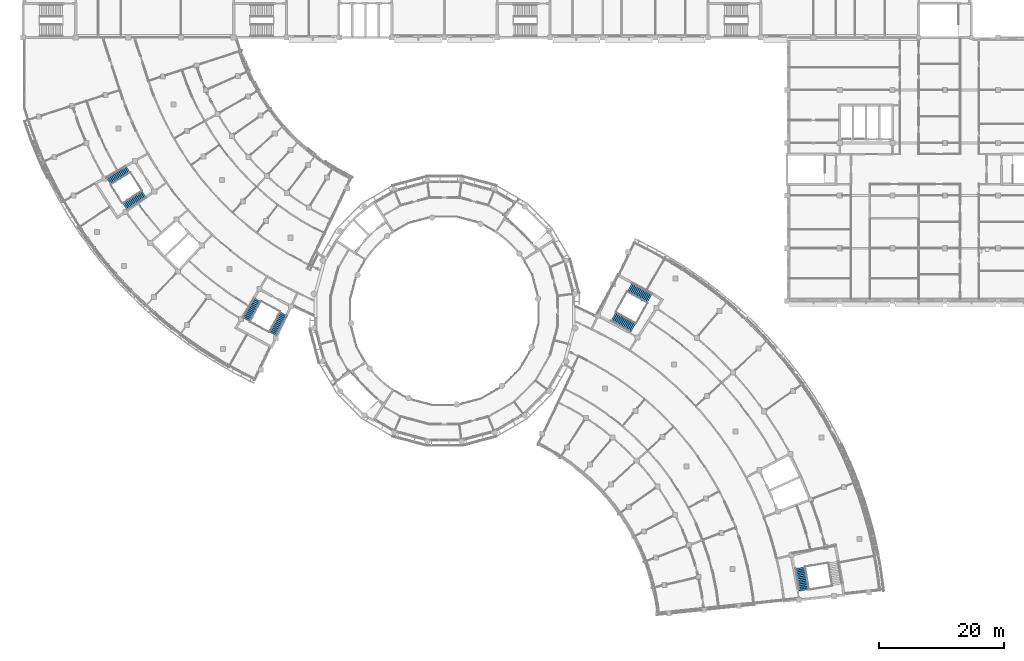
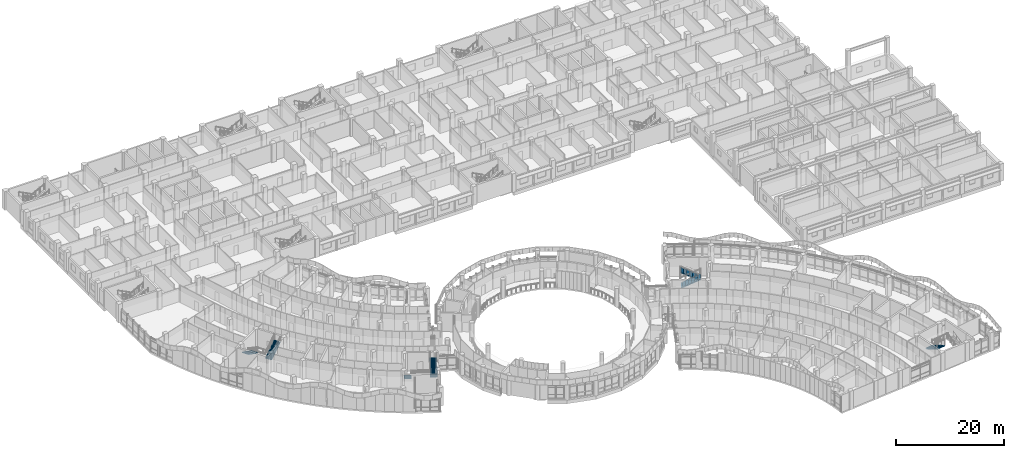
# One storey, part 76 of 109: 7 stair flights, 4 elements without a shape of their own.
"""IFC4 building model written with IfcOpenShell, lengths in metres."""

from ifc_helpers import new_model, si_unit, direction, frame, origin, place, context, subcontext, project, spatial, polyline, outline, extrude, material, type_object, element, aggregate, save


model = new_model("IFC4")

# Units and contexts
model_context = context("Model", 3, precision=1e-05, world=origin(), true_north=direction((0.0, 1.0)))
body_context = subcontext(model_context, "Body", "Model", "MODEL_VIEW")
ifc_project = project(units=[si_unit("LENGTHUNIT", "METRE"), si_unit("AREAUNIT", "SQUARE_METRE"), si_unit("VOLUMEUNIT", "CUBIC_METRE"), si_unit("PLANEANGLEUNIT", "RADIAN"), si_unit("MASSUNIT", "GRAM", prefix="KILO")], contexts=[model_context])

# Site, building, storey
site_placement = place(None, origin())
site = spatial("IfcSite", under=ifc_project, at=site_placement, CompositionType="ELEMENT")
building_placement = place(site_placement, origin())
building = spatial("IfcBuilding", under=site, at=building_placement, Name="Bougainvillea Quay General Hospital", CompositionType="ELEMENT")
storey_placement = place(building_placement, frame((0.0, 0.0, 12.60009765625)))
storey = spatial("IfcBuildingStorey", under=building, at=storey_placement, Name="L02", CompositionType="ELEMENT", Elevation=12.60009765625)

# Stair, stair flights
ifc_material = material(Name="Concrete C35", Category="concrete")
stair_type_1 = type_object("IfcStairType", Name="Stair half-turn 1350 wide", PredefinedType="HALF_TURN_STAIR", material=ifc_material)
stair_1_placement = place(storey_placement, origin())
stair_1 = element("IfcStair", 1, at=stair_1_placement, inside=storey, type_object=stair_type_1, Name="L02 stair ST-W1", PredefinedType="HALF_TURN_STAIR")
stair_flight_type_1 = type_object("IfcStairFlightType", Name="Stair flight 1350", PredefinedType="STRAIGHT", material=ifc_material)
stair_flight_1_placement = place(storey_placement, frame((79.350830078125, 75.82470703125, 0.0), z_axis=(0.0, 0.0, 1.0), x_axis=(-0.475725718378, -0.879593679419, 0.0)))
stair_flight_1 = element("IfcStairFlight", 2, at=stair_flight_1_placement, type_object=stair_flight_type_1, Name="ST-W1 flight 1", NumberOfRisers=14, NumberOfTreads=13, PredefinedType="STRAIGHT", RiserHeight=0.15, TreadLength=0.28, context=body_context, shape_type="SweptSolid", body=[
    extrude(outline(polyline([(-0.0029296875, 0.0), (-0.0029296875, 0.003662109375), (-0.0029296875, 0.00732421875), (-0.0029296875, 0.010986328125), (-0.0029296875, 0.0146484375), (-0.0029296875, 0.018310546875), (-0.0029296875, 0.02197265625), (-0.0029296875, 0.025634765625), (-0.0029296875, 0.029296875), (-0.0029296875, 0.032958984375), (-0.0029296875, 0.03662109375), (-0.0029296875, 0.040283203125), (-0.0029296875, 0.0439453125), (-0.0029296875, 0.047607421875), (-0.0029296875, 0.05126953125), (-0.0029296875, 0.054931640625), (-0.0029296875, 0.05859375), (-0.0029296875, 0.062255859375), (-0.0029296875, 0.06591796875), (-0.0029296875, 0.069580078125), (-0.0029296875, 0.0732421875), (-0.0029296875, 0.076904296875), (-0.0029296875, 0.08056640625), (-0.0029296875, 0.084228515625), (-0.0029296875, 0.087890625), (-0.0029296875, 0.091552734375), (-0.0029296875, 0.09521484375), (-0.0029296875, 0.098876953125), (-0.0029296875, 0.1025390625), (-0.0029296875, 0.106201171875), (-0.0029296875, 0.10986328125), (-0.0029296875, 0.113525390625), (-0.0029296875, 0.1171875), (-0.0029296875, 0.120849609375), (-0.0029296875, 0.12451171875), (-0.0029296875, 0.1279296875), (-0.0029296875, 0.131591796875), (-0.0029296875, 0.13525390625), (-0.0029296875, 0.138916015625), (-0.0029296875, 0.142578125), (-0.0029296875, 0.146240234375), (-0.0029296875, 0.14990234375), (0.280029296875, 0.14990234375), (0.280029296875, 0.300048828125), (0.56005859375, 0.300048828125), (0.56005859375, 0.449951171875), (0.840087890625, 0.449951171875), (0.840087890625, 0.60009765625), (1.1201171875, 0.60009765625), (1.1201171875, 0.75), (1.39990234375, 0.75), (1.39990234375, 0.89990234375), (1.679931640625, 0.89990234375), (1.679931640625, 1.050048828125), (1.9599609375, 1.050048828125), (1.9599609375, 1.199951171875), (2.239990234375, 1.199951171875), (2.239990234375, 1.35009765625), (2.52001953125, 1.35009765625), (2.52001953125, 1.5), (2.800048828125, 1.5), (2.800048828125, 1.64990234375), (3.080078125, 1.64990234375), (3.080078125, 1.800048828125), (3.360107421875, 1.800048828125), (3.360107421875, 1.949951171875), (3.64306640625, 1.949951171875), (3.64306640625, 1.94580078125), (3.64306640625, 1.941650390625), (3.64306640625, 1.9375), (3.64306640625, 1.933349609375), (3.64306640625, 1.92919921875), (3.64306640625, 1.925048828125), (3.64306640625, 1.9208984375), (3.64306640625, 1.916748046875), (3.64306640625, 1.91259765625), (3.64306640625, 1.908447265625), (3.64306640625, 1.904296875), (3.64306640625, 1.900146484375), (3.64306640625, 1.89599609375), (3.64306640625, 1.891845703125), (3.64306640625, 1.8876953125), (3.64306640625, 1.883544921875), (3.64306640625, 1.87939453125), (3.64306640625, 1.875244140625), (3.64306640625, 1.87109375), (3.64306640625, 1.866943359375), (3.64306640625, 1.86279296875), (3.64306640625, 1.858642578125), (3.64306640625, 1.8544921875), (3.64306640625, 1.850341796875), (3.64306640625, 1.84619140625), (3.64306640625, 1.842041015625), (3.64306640625, 1.837890625), (3.64306640625, 1.833984375), (3.64306640625, 1.829833984375), (3.64306640625, 1.82568359375), (3.64306640625, 1.821533203125), (3.64306640625, 1.8173828125), (3.64306640625, 1.813232421875), (3.64306640625, 1.80908203125), (3.64306640625, 1.804931640625), (3.64306640625, 1.80078125), (3.64306640625, 1.796630859375), (3.64306640625, 1.79248046875), (3.64306640625, 1.788330078125), (3.64306640625, 1.7841796875), (3.64306640625, 1.780029296875), (0.3173828125, 0.0), (-0.0029296875, 0.0)])), frame((0.0, 0.675048828125, 0.0), z_axis=(0.0, -1.0, 0.0), x_axis=(1.0, 0.0, 0.0)), (0.0, 0.0, 1.0), 1.35009765625),
])
stair_flight_2_placement = place(storey_placement, frame((81.81640625, 70.352783203125, 2.099853515625), z_axis=(0.0, 0.0, 1.0), x_axis=(0.475725718378, 0.879593679419, 0.0)))
stair_flight_2 = element("IfcStairFlight", 3, at=stair_flight_2_placement, type_object=stair_flight_type_1, Name="ST-W1 flight 2", NumberOfRisers=14, NumberOfTreads=13, PredefinedType="STRAIGHT", RiserHeight=0.15, TreadLength=0.28, context=body_context, shape_type="SweptSolid", body=[
    extrude(outline(polyline([(-0.0029296875, 0.0), (-0.0029296875, 0.003662109375), (-0.0029296875, 0.00732421875), (-0.0029296875, 0.010986328125), (-0.0029296875, 0.0146484375), (-0.0029296875, 0.018310546875), (-0.0029296875, 0.02197265625), (-0.0029296875, 0.025634765625), (-0.0029296875, 0.029296875), (-0.0029296875, 0.032958984375), (-0.0029296875, 0.03662109375), (-0.0029296875, 0.040283203125), (-0.0029296875, 0.0439453125), (-0.0029296875, 0.047607421875), (-0.0029296875, 0.05126953125), (-0.0029296875, 0.054931640625), (-0.0029296875, 0.05859375), (-0.0029296875, 0.062255859375), (-0.0029296875, 0.06591796875), (-0.0029296875, 0.069580078125), (-0.0029296875, 0.0732421875), (-0.0029296875, 0.076904296875), (-0.0029296875, 0.08056640625), (-0.0029296875, 0.084228515625), (-0.0029296875, 0.087890625), (-0.0029296875, 0.091552734375), (-0.0029296875, 0.09521484375), (-0.0029296875, 0.098876953125), (-0.0029296875, 0.1025390625), (-0.0029296875, 0.106201171875), (-0.0029296875, 0.10986328125), (-0.0029296875, 0.113525390625), (-0.0029296875, 0.1171875), (-0.0029296875, 0.120849609375), (-0.0029296875, 0.12451171875), (-0.0029296875, 0.1279296875), (-0.0029296875, 0.131591796875), (-0.0029296875, 0.13525390625), (-0.0029296875, 0.138916015625), (-0.0029296875, 0.142578125), (-0.0029296875, 0.146240234375), (-0.0029296875, 0.14990234375), (0.280029296875, 0.14990234375), (0.280029296875, 0.300048828125), (0.56005859375, 0.300048828125), (0.56005859375, 0.449951171875), (0.840087890625, 0.449951171875), (0.840087890625, 0.60009765625), (1.1201171875, 0.60009765625), (1.1201171875, 0.75), (1.39990234375, 0.75), (1.39990234375, 0.89990234375), (1.679931640625, 0.89990234375), (1.679931640625, 1.050048828125), (1.9599609375, 1.050048828125), (1.9599609375, 1.199951171875), (2.239990234375, 1.199951171875), (2.239990234375, 1.35009765625), (2.52001953125, 1.35009765625), (2.52001953125, 1.5), (2.800048828125, 1.5), (2.800048828125, 1.64990234375), (3.080078125, 1.64990234375), (3.080078125, 1.800048828125), (3.360107421875, 1.800048828125), (3.360107421875, 1.949951171875), (3.64306640625, 1.949951171875), (3.64306640625, 1.94580078125), (3.64306640625, 1.941650390625), (3.64306640625, 1.9375), (3.64306640625, 1.933349609375), (3.64306640625, 1.92919921875), (3.64306640625, 1.925048828125), (3.64306640625, 1.9208984375), (3.64306640625, 1.916748046875), (3.64306640625, 1.91259765625), (3.64306640625, 1.908447265625), (3.64306640625, 1.904296875), (3.64306640625, 1.900146484375), (3.64306640625, 1.89599609375), (3.64306640625, 1.891845703125), (3.64306640625, 1.8876953125), (3.64306640625, 1.883544921875), (3.64306640625, 1.87939453125), (3.64306640625, 1.875244140625), (3.64306640625, 1.87109375), (3.64306640625, 1.866943359375), (3.64306640625, 1.86279296875), (3.64306640625, 1.858642578125), (3.64306640625, 1.8544921875), (3.64306640625, 1.850341796875), (3.64306640625, 1.84619140625), (3.64306640625, 1.842041015625), (3.64306640625, 1.837890625), (3.64306640625, 1.833984375), (3.64306640625, 1.829833984375), (3.64306640625, 1.82568359375), (3.64306640625, 1.821533203125), (3.64306640625, 1.8173828125), (3.64306640625, 1.813232421875), (3.64306640625, 1.80908203125), (3.64306640625, 1.804931640625), (3.64306640625, 1.80078125), (3.64306640625, 1.796630859375), (3.64306640625, 1.79248046875), (3.64306640625, 1.788330078125), (3.64306640625, 1.7841796875), (3.64306640625, 1.780029296875), (0.3173828125, 0.0), (-0.0029296875, 0.0)])), frame((0.0, 0.675048828125, 0.0), z_axis=(0.0, -1.0, 0.0), x_axis=(1.0, 0.0, 0.0)), (0.0, 0.0, 1.0), 1.35009765625),
])
aggregate(stair_1, [stair_flight_1, stair_flight_2])

stair_2_placement = place(storey_placement, origin())
stair_2 = element("IfcStair", 4, at=stair_2_placement, inside=storey, type_object=stair_type_1, Name="L02 stair ST-W2", PredefinedType="HALF_TURN_STAIR")
stair_flight_3_placement = place(storey_placement, frame((58.736572265625, 96.6396484375, 0.0), z_axis=(0.0, 0.0, 1.0), x_axis=(-0.842999170031, -0.537914862526, 0.0)))
stair_flight_3 = element("IfcStairFlight", 5, at=stair_flight_3_placement, type_object=stair_flight_type_1, Name="ST-W2 flight 1", NumberOfRisers=14, NumberOfTreads=13, PredefinedType="STRAIGHT", RiserHeight=0.15, TreadLength=0.28, context=body_context, shape_type="SweptSolid", body=[
    extrude(outline(polyline([(-0.0029296875, 0.0), (-0.0029296875, 0.003662109375), (-0.0029296875, 0.00732421875), (-0.0029296875, 0.010986328125), (-0.0029296875, 0.0146484375), (-0.0029296875, 0.018310546875), (-0.0029296875, 0.02197265625), (-0.0029296875, 0.025634765625), (-0.0029296875, 0.029296875), (-0.0029296875, 0.032958984375), (-0.0029296875, 0.03662109375), (-0.0029296875, 0.040283203125), (-0.0029296875, 0.0439453125), (-0.0029296875, 0.047607421875), (-0.0029296875, 0.05126953125), (-0.0029296875, 0.054931640625), (-0.0029296875, 0.05859375), (-0.0029296875, 0.062255859375), (-0.0029296875, 0.06591796875), (-0.0029296875, 0.069580078125), (-0.0029296875, 0.0732421875), (-0.0029296875, 0.076904296875), (-0.0029296875, 0.08056640625), (-0.0029296875, 0.084228515625), (-0.0029296875, 0.087890625), (-0.0029296875, 0.091552734375), (-0.0029296875, 0.09521484375), (-0.0029296875, 0.098876953125), (-0.0029296875, 0.1025390625), (-0.0029296875, 0.106201171875), (-0.0029296875, 0.10986328125), (-0.0029296875, 0.113525390625), (-0.0029296875, 0.1171875), (-0.0029296875, 0.120849609375), (-0.0029296875, 0.12451171875), (-0.0029296875, 0.1279296875), (-0.0029296875, 0.131591796875), (-0.0029296875, 0.13525390625), (-0.0029296875, 0.138916015625), (-0.0029296875, 0.142578125), (-0.0029296875, 0.146240234375), (-0.0029296875, 0.14990234375), (0.280029296875, 0.14990234375), (0.280029296875, 0.300048828125), (0.56005859375, 0.300048828125), (0.56005859375, 0.449951171875), (0.840087890625, 0.449951171875), (0.840087890625, 0.60009765625), (1.1201171875, 0.60009765625), (1.1201171875, 0.75), (1.39990234375, 0.75), (1.39990234375, 0.89990234375), (1.679931640625, 0.89990234375), (1.679931640625, 1.050048828125), (1.9599609375, 1.050048828125), (1.9599609375, 1.199951171875), (2.239990234375, 1.199951171875), (2.239990234375, 1.35009765625), (2.52001953125, 1.35009765625), (2.52001953125, 1.5), (2.800048828125, 1.5), (2.800048828125, 1.64990234375), (3.080078125, 1.64990234375), (3.080078125, 1.800048828125), (3.360107421875, 1.800048828125), (3.360107421875, 1.949951171875), (3.64306640625, 1.949951171875), (3.64306640625, 1.94580078125), (3.64306640625, 1.941650390625), (3.64306640625, 1.9375), (3.64306640625, 1.933349609375), (3.64306640625, 1.92919921875), (3.64306640625, 1.925048828125), (3.64306640625, 1.9208984375), (3.64306640625, 1.916748046875), (3.64306640625, 1.91259765625), (3.64306640625, 1.908447265625), (3.64306640625, 1.904296875), (3.64306640625, 1.900146484375), (3.64306640625, 1.89599609375), (3.64306640625, 1.891845703125), (3.64306640625, 1.8876953125), (3.64306640625, 1.883544921875), (3.64306640625, 1.87939453125), (3.64306640625, 1.875244140625), (3.64306640625, 1.87109375), (3.64306640625, 1.866943359375), (3.64306640625, 1.86279296875), (3.64306640625, 1.858642578125), (3.64306640625, 1.8544921875), (3.64306640625, 1.850341796875), (3.64306640625, 1.84619140625), (3.64306640625, 1.842041015625), (3.64306640625, 1.837890625), (3.64306640625, 1.833984375), (3.64306640625, 1.829833984375), (3.64306640625, 1.82568359375), (3.64306640625, 1.821533203125), (3.64306640625, 1.8173828125), (3.64306640625, 1.813232421875), (3.64306640625, 1.80908203125), (3.64306640625, 1.804931640625), (3.64306640625, 1.80078125), (3.64306640625, 1.796630859375), (3.64306640625, 1.79248046875), (3.64306640625, 1.788330078125), (3.64306640625, 1.7841796875), (3.64306640625, 1.780029296875), (0.3173828125, 0.0), (-0.0029296875, 0.0)])), frame((0.0, 0.675048828125, 0.0), z_axis=(0.0, -1.0, 0.0), x_axis=(1.0, 0.0, 0.0)), (0.0, 0.0, 1.0), 1.35009765625),
])
stair_flight_4_placement = place(storey_placement, frame((58.23486328125, 90.658935546875, 2.099853515625), z_axis=(0.0, 0.0, 1.0), x_axis=(0.842999170031, 0.537914862526, 0.0)))
stair_flight_4 = element("IfcStairFlight", 6, at=stair_flight_4_placement, type_object=stair_flight_type_1, Name="ST-W2 flight 2", NumberOfRisers=14, NumberOfTreads=13, PredefinedType="STRAIGHT", RiserHeight=0.15, TreadLength=0.28, context=body_context, shape_type="SweptSolid", body=[
    extrude(outline(polyline([(-0.0029296875, 0.0), (-0.0029296875, 0.003662109375), (-0.0029296875, 0.00732421875), (-0.0029296875, 0.010986328125), (-0.0029296875, 0.0146484375), (-0.0029296875, 0.018310546875), (-0.0029296875, 0.02197265625), (-0.0029296875, 0.025634765625), (-0.0029296875, 0.029296875), (-0.0029296875, 0.032958984375), (-0.0029296875, 0.03662109375), (-0.0029296875, 0.040283203125), (-0.0029296875, 0.0439453125), (-0.0029296875, 0.047607421875), (-0.0029296875, 0.05126953125), (-0.0029296875, 0.054931640625), (-0.0029296875, 0.05859375), (-0.0029296875, 0.062255859375), (-0.0029296875, 0.06591796875), (-0.0029296875, 0.069580078125), (-0.0029296875, 0.0732421875), (-0.0029296875, 0.076904296875), (-0.0029296875, 0.08056640625), (-0.0029296875, 0.084228515625), (-0.0029296875, 0.087890625), (-0.0029296875, 0.091552734375), (-0.0029296875, 0.09521484375), (-0.0029296875, 0.098876953125), (-0.0029296875, 0.1025390625), (-0.0029296875, 0.106201171875), (-0.0029296875, 0.10986328125), (-0.0029296875, 0.113525390625), (-0.0029296875, 0.1171875), (-0.0029296875, 0.120849609375), (-0.0029296875, 0.12451171875), (-0.0029296875, 0.1279296875), (-0.0029296875, 0.131591796875), (-0.0029296875, 0.13525390625), (-0.0029296875, 0.138916015625), (-0.0029296875, 0.142578125), (-0.0029296875, 0.146240234375), (-0.0029296875, 0.14990234375), (0.280029296875, 0.14990234375), (0.280029296875, 0.300048828125), (0.56005859375, 0.300048828125), (0.56005859375, 0.449951171875), (0.840087890625, 0.449951171875), (0.840087890625, 0.60009765625), (1.1201171875, 0.60009765625), (1.1201171875, 0.75), (1.39990234375, 0.75), (1.39990234375, 0.89990234375), (1.679931640625, 0.89990234375), (1.679931640625, 1.050048828125), (1.9599609375, 1.050048828125), (1.9599609375, 1.199951171875), (2.239990234375, 1.199951171875), (2.239990234375, 1.35009765625), (2.52001953125, 1.35009765625), (2.52001953125, 1.5), (2.800048828125, 1.5), (2.800048828125, 1.64990234375), (3.080078125, 1.64990234375), (3.080078125, 1.800048828125), (3.360107421875, 1.800048828125), (3.360107421875, 1.949951171875), (3.64306640625, 1.949951171875), (3.64306640625, 1.94580078125), (3.64306640625, 1.941650390625), (3.64306640625, 1.9375), (3.64306640625, 1.933349609375), (3.64306640625, 1.92919921875), (3.64306640625, 1.925048828125), (3.64306640625, 1.9208984375), (3.64306640625, 1.916748046875), (3.64306640625, 1.91259765625), (3.64306640625, 1.908447265625), (3.64306640625, 1.904296875), (3.64306640625, 1.900146484375), (3.64306640625, 1.89599609375), (3.64306640625, 1.891845703125), (3.64306640625, 1.8876953125), (3.64306640625, 1.883544921875), (3.64306640625, 1.87939453125), (3.64306640625, 1.875244140625), (3.64306640625, 1.87109375), (3.64306640625, 1.866943359375), (3.64306640625, 1.86279296875), (3.64306640625, 1.858642578125), (3.64306640625, 1.8544921875), (3.64306640625, 1.850341796875), (3.64306640625, 1.84619140625), (3.64306640625, 1.842041015625), (3.64306640625, 1.837890625), (3.64306640625, 1.833984375), (3.64306640625, 1.829833984375), (3.64306640625, 1.82568359375), (3.64306640625, 1.821533203125), (3.64306640625, 1.8173828125), (3.64306640625, 1.813232421875), (3.64306640625, 1.80908203125), (3.64306640625, 1.804931640625), (3.64306640625, 1.80078125), (3.64306640625, 1.796630859375), (3.64306640625, 1.79248046875), (3.64306640625, 1.788330078125), (3.64306640625, 1.7841796875), (3.64306640625, 1.780029296875), (0.3173828125, 0.0), (-0.0029296875, 0.0)])), frame((0.0, 0.675048828125, 0.0), z_axis=(0.0, -1.0, 0.0), x_axis=(1.0, 0.0, 0.0)), (0.0, 0.0, 1.0), 1.35009765625),
])
aggregate(stair_2, [stair_flight_3, stair_flight_4])

stair_type_2 = type_object("IfcStairType", Name="Stair half-turn 1650 wide", PredefinedType="HALF_TURN_STAIR", material=ifc_material)
stair_3_placement = place(storey_placement, origin())
stair_3 = element("IfcStair", 7, at=stair_3_placement, inside=storey, type_object=stair_type_2, Name="L02 stair ST-E1", PredefinedType="HALF_TURN_STAIR")
stair_flight_type_2 = type_object("IfcStairFlightType", Name="Stair flight 1650", PredefinedType="STRAIGHT", material=ifc_material)
stair_flight_5_placement = place(storey_placement, frame((141.89208984375, 75.99267578125, 0.0), z_axis=(0.0, 0.0, 1.0), x_axis=(-0.873300754664, 0.487181477382, 0.0)))
stair_flight_5 = element("IfcStairFlight", 8, at=stair_flight_5_placement, type_object=stair_flight_type_2, Name="ST-E1 flight 1", NumberOfRisers=14, NumberOfTreads=13, PredefinedType="STRAIGHT", RiserHeight=0.15, TreadLength=0.28, context=body_context, shape_type="SweptSolid", body=[
    extrude(outline(polyline([(-0.0029296875, 0.0), (-0.0029296875, 0.003662109375), (-0.0029296875, 0.00732421875), (-0.0029296875, 0.010986328125), (-0.0029296875, 0.0146484375), (-0.0029296875, 0.018310546875), (-0.0029296875, 0.02197265625), (-0.0029296875, 0.025634765625), (-0.0029296875, 0.029296875), (-0.0029296875, 0.032958984375), (-0.0029296875, 0.03662109375), (-0.0029296875, 0.040283203125), (-0.0029296875, 0.0439453125), (-0.0029296875, 0.047607421875), (-0.0029296875, 0.05126953125), (-0.0029296875, 0.054931640625), (-0.0029296875, 0.05859375), (-0.0029296875, 0.062255859375), (-0.0029296875, 0.06591796875), (-0.0029296875, 0.069580078125), (-0.0029296875, 0.0732421875), (-0.0029296875, 0.076904296875), (-0.0029296875, 0.08056640625), (-0.0029296875, 0.084228515625), (-0.0029296875, 0.087890625), (-0.0029296875, 0.091552734375), (-0.0029296875, 0.09521484375), (-0.0029296875, 0.098876953125), (-0.0029296875, 0.1025390625), (-0.0029296875, 0.106201171875), (-0.0029296875, 0.10986328125), (-0.0029296875, 0.113525390625), (-0.0029296875, 0.1171875), (-0.0029296875, 0.120849609375), (-0.0029296875, 0.12451171875), (-0.0029296875, 0.1279296875), (-0.0029296875, 0.131591796875), (-0.0029296875, 0.13525390625), (-0.0029296875, 0.138916015625), (-0.0029296875, 0.142578125), (-0.0029296875, 0.146240234375), (-0.0029296875, 0.14990234375), (0.280029296875, 0.14990234375), (0.280029296875, 0.300048828125), (0.56005859375, 0.300048828125), (0.56005859375, 0.449951171875), (0.840087890625, 0.449951171875), (0.840087890625, 0.60009765625), (1.1201171875, 0.60009765625), (1.1201171875, 0.75), (1.39990234375, 0.75), (1.39990234375, 0.89990234375), (1.679931640625, 0.89990234375), (1.679931640625, 1.050048828125), (1.9599609375, 1.050048828125), (1.9599609375, 1.199951171875), (2.239990234375, 1.199951171875), (2.239990234375, 1.35009765625), (2.52001953125, 1.35009765625), (2.52001953125, 1.5), (2.800048828125, 1.5), (2.800048828125, 1.64990234375), (3.080078125, 1.64990234375), (3.080078125, 1.800048828125), (3.360107421875, 1.800048828125), (3.360107421875, 1.949951171875), (3.64306640625, 1.949951171875), (3.64306640625, 1.94580078125), (3.64306640625, 1.941650390625), (3.64306640625, 1.9375), (3.64306640625, 1.933349609375), (3.64306640625, 1.92919921875), (3.64306640625, 1.925048828125), (3.64306640625, 1.9208984375), (3.64306640625, 1.916748046875), (3.64306640625, 1.91259765625), (3.64306640625, 1.908447265625), (3.64306640625, 1.904296875), (3.64306640625, 1.900146484375), (3.64306640625, 1.89599609375), (3.64306640625, 1.891845703125), (3.64306640625, 1.8876953125), (3.64306640625, 1.883544921875), (3.64306640625, 1.87939453125), (3.64306640625, 1.875244140625), (3.64306640625, 1.87109375), (3.64306640625, 1.866943359375), (3.64306640625, 1.86279296875), (3.64306640625, 1.858642578125), (3.64306640625, 1.8544921875), (3.64306640625, 1.850341796875), (3.64306640625, 1.84619140625), (3.64306640625, 1.842041015625), (3.64306640625, 1.837890625), (3.64306640625, 1.833984375), (3.64306640625, 1.829833984375), (3.64306640625, 1.82568359375), (3.64306640625, 1.821533203125), (3.64306640625, 1.8173828125), (3.64306640625, 1.813232421875), (3.64306640625, 1.80908203125), (3.64306640625, 1.804931640625), (3.64306640625, 1.80078125), (3.64306640625, 1.796630859375), (3.64306640625, 1.79248046875), (3.64306640625, 1.788330078125), (3.64306640625, 1.7841796875), (3.64306640625, 1.780029296875), (0.3173828125, 0.0), (-0.0029296875, 0.0)])), frame((0.0, 0.824951171875, 0.0), z_axis=(0.0, -1.0, 0.0), x_axis=(1.0, 0.0, 0.0)), (0.0, 0.0, 1.0), 1.64990234375),
])
stair_flight_6_placement = place(storey_placement, frame((136.12744140625, 73.131103515625, 2.099853515625), z_axis=(0.0, 0.0, 1.0), x_axis=(0.873300754664, -0.487181477382, 0.0)))
stair_flight_6 = element("IfcStairFlight", 9, at=stair_flight_6_placement, type_object=stair_flight_type_2, Name="ST-E1 flight 2", NumberOfRisers=14, NumberOfTreads=13, PredefinedType="STRAIGHT", RiserHeight=0.15, TreadLength=0.28, context=body_context, shape_type="SweptSolid", body=[
    extrude(outline(polyline([(-0.0029296875, 0.0), (-0.0029296875, 0.003662109375), (-0.0029296875, 0.00732421875), (-0.0029296875, 0.010986328125), (-0.0029296875, 0.0146484375), (-0.0029296875, 0.018310546875), (-0.0029296875, 0.02197265625), (-0.0029296875, 0.025634765625), (-0.0029296875, 0.029296875), (-0.0029296875, 0.032958984375), (-0.0029296875, 0.03662109375), (-0.0029296875, 0.040283203125), (-0.0029296875, 0.0439453125), (-0.0029296875, 0.047607421875), (-0.0029296875, 0.05126953125), (-0.0029296875, 0.054931640625), (-0.0029296875, 0.05859375), (-0.0029296875, 0.062255859375), (-0.0029296875, 0.06591796875), (-0.0029296875, 0.069580078125), (-0.0029296875, 0.0732421875), (-0.0029296875, 0.076904296875), (-0.0029296875, 0.08056640625), (-0.0029296875, 0.084228515625), (-0.0029296875, 0.087890625), (-0.0029296875, 0.091552734375), (-0.0029296875, 0.09521484375), (-0.0029296875, 0.098876953125), (-0.0029296875, 0.1025390625), (-0.0029296875, 0.106201171875), (-0.0029296875, 0.10986328125), (-0.0029296875, 0.113525390625), (-0.0029296875, 0.1171875), (-0.0029296875, 0.120849609375), (-0.0029296875, 0.12451171875), (-0.0029296875, 0.1279296875), (-0.0029296875, 0.131591796875), (-0.0029296875, 0.13525390625), (-0.0029296875, 0.138916015625), (-0.0029296875, 0.142578125), (-0.0029296875, 0.146240234375), (-0.0029296875, 0.14990234375), (0.280029296875, 0.14990234375), (0.280029296875, 0.300048828125), (0.56005859375, 0.300048828125), (0.56005859375, 0.449951171875), (0.840087890625, 0.449951171875), (0.840087890625, 0.60009765625), (1.1201171875, 0.60009765625), (1.1201171875, 0.75), (1.39990234375, 0.75), (1.39990234375, 0.89990234375), (1.679931640625, 0.89990234375), (1.679931640625, 1.050048828125), (1.9599609375, 1.050048828125), (1.9599609375, 1.199951171875), (2.239990234375, 1.199951171875), (2.239990234375, 1.35009765625), (2.52001953125, 1.35009765625), (2.52001953125, 1.5), (2.800048828125, 1.5), (2.800048828125, 1.64990234375), (3.080078125, 1.64990234375), (3.080078125, 1.800048828125), (3.360107421875, 1.800048828125), (3.360107421875, 1.949951171875), (3.64306640625, 1.949951171875), (3.64306640625, 1.94580078125), (3.64306640625, 1.941650390625), (3.64306640625, 1.9375), (3.64306640625, 1.933349609375), (3.64306640625, 1.92919921875), (3.64306640625, 1.925048828125), (3.64306640625, 1.9208984375), (3.64306640625, 1.916748046875), (3.64306640625, 1.91259765625), (3.64306640625, 1.908447265625), (3.64306640625, 1.904296875), (3.64306640625, 1.900146484375), (3.64306640625, 1.89599609375), (3.64306640625, 1.891845703125), (3.64306640625, 1.8876953125), (3.64306640625, 1.883544921875), (3.64306640625, 1.87939453125), (3.64306640625, 1.875244140625), (3.64306640625, 1.87109375), (3.64306640625, 1.866943359375), (3.64306640625, 1.86279296875), (3.64306640625, 1.858642578125), (3.64306640625, 1.8544921875), (3.64306640625, 1.850341796875), (3.64306640625, 1.84619140625), (3.64306640625, 1.842041015625), (3.64306640625, 1.837890625), (3.64306640625, 1.833984375), (3.64306640625, 1.829833984375), (3.64306640625, 1.82568359375), (3.64306640625, 1.821533203125), (3.64306640625, 1.8173828125), (3.64306640625, 1.813232421875), (3.64306640625, 1.80908203125), (3.64306640625, 1.804931640625), (3.64306640625, 1.80078125), (3.64306640625, 1.796630859375), (3.64306640625, 1.79248046875), (3.64306640625, 1.788330078125), (3.64306640625, 1.7841796875), (3.64306640625, 1.780029296875), (0.3173828125, 0.0), (-0.0029296875, 0.0)])), frame((0.0, 0.824951171875, 0.0), z_axis=(0.0, -1.0, 0.0), x_axis=(1.0, 0.0, 0.0)), (0.0, 0.0, 1.0), 1.64990234375),
])
aggregate(stair_3, [stair_flight_5, stair_flight_6])

# Stair, stair flight
stair_4_placement = place(storey_placement, origin())
stair_4 = element("IfcStair", 10, at=stair_4_placement, inside=storey, type_object=stair_type_2, Name="L02 stair ST-E2", PredefinedType="HALF_TURN_STAIR")
stair_flight_7_placement = place(storey_placement, frame((165.918212890625, 33.069091796875, 2.099853515625), z_axis=(0.0, 0.0, 1.0), x_axis=(0.167737267749, -0.985831734632, 0.0)))
stair_flight_7 = element("IfcStairFlight", 11, at=stair_flight_7_placement, type_object=stair_flight_type_2, Name="ST-E2 flight 2", NumberOfRisers=14, NumberOfTreads=13, PredefinedType="STRAIGHT", RiserHeight=0.15, TreadLength=0.28, context=body_context, shape_type="SweptSolid", body=[
    extrude(outline(polyline([(-0.0029296875, 0.0), (-0.0029296875, 0.003662109375), (-0.0029296875, 0.00732421875), (-0.0029296875, 0.010986328125), (-0.0029296875, 0.0146484375), (-0.0029296875, 0.018310546875), (-0.0029296875, 0.02197265625), (-0.0029296875, 0.025634765625), (-0.0029296875, 0.029296875), (-0.0029296875, 0.032958984375), (-0.0029296875, 0.03662109375), (-0.0029296875, 0.040283203125), (-0.0029296875, 0.0439453125), (-0.0029296875, 0.047607421875), (-0.0029296875, 0.05126953125), (-0.0029296875, 0.054931640625), (-0.0029296875, 0.05859375), (-0.0029296875, 0.062255859375), (-0.0029296875, 0.06591796875), (-0.0029296875, 0.069580078125), (-0.0029296875, 0.0732421875), (-0.0029296875, 0.076904296875), (-0.0029296875, 0.08056640625), (-0.0029296875, 0.084228515625), (-0.0029296875, 0.087890625), (-0.0029296875, 0.091552734375), (-0.0029296875, 0.09521484375), (-0.0029296875, 0.098876953125), (-0.0029296875, 0.1025390625), (-0.0029296875, 0.106201171875), (-0.0029296875, 0.10986328125), (-0.0029296875, 0.113525390625), (-0.0029296875, 0.1171875), (-0.0029296875, 0.120849609375), (-0.0029296875, 0.12451171875), (-0.0029296875, 0.1279296875), (-0.0029296875, 0.131591796875), (-0.0029296875, 0.13525390625), (-0.0029296875, 0.138916015625), (-0.0029296875, 0.142578125), (-0.0029296875, 0.146240234375), (-0.0029296875, 0.14990234375), (0.280029296875, 0.14990234375), (0.280029296875, 0.300048828125), (0.56005859375, 0.300048828125), (0.56005859375, 0.449951171875), (0.840087890625, 0.449951171875), (0.840087890625, 0.60009765625), (1.1201171875, 0.60009765625), (1.1201171875, 0.75), (1.39990234375, 0.75), (1.39990234375, 0.89990234375), (1.679931640625, 0.89990234375), (1.679931640625, 1.050048828125), (1.9599609375, 1.050048828125), (1.9599609375, 1.199951171875), (2.239990234375, 1.199951171875), (2.239990234375, 1.35009765625), (2.52001953125, 1.35009765625), (2.52001953125, 1.5), (2.800048828125, 1.5), (2.800048828125, 1.64990234375), (3.080078125, 1.64990234375), (3.080078125, 1.800048828125), (3.360107421875, 1.800048828125), (3.360107421875, 1.949951171875), (3.64306640625, 1.949951171875), (3.64306640625, 1.94580078125), (3.64306640625, 1.941650390625), (3.64306640625, 1.9375), (3.64306640625, 1.933349609375), (3.64306640625, 1.92919921875), (3.64306640625, 1.925048828125), (3.64306640625, 1.9208984375), (3.64306640625, 1.916748046875), (3.64306640625, 1.91259765625), (3.64306640625, 1.908447265625), (3.64306640625, 1.904296875), (3.64306640625, 1.900146484375), (3.64306640625, 1.89599609375), (3.64306640625, 1.891845703125), (3.64306640625, 1.8876953125), (3.64306640625, 1.883544921875), (3.64306640625, 1.87939453125), (3.64306640625, 1.875244140625), (3.64306640625, 1.87109375), (3.64306640625, 1.866943359375), (3.64306640625, 1.86279296875), (3.64306640625, 1.858642578125), (3.64306640625, 1.8544921875), (3.64306640625, 1.850341796875), (3.64306640625, 1.84619140625), (3.64306640625, 1.842041015625), (3.64306640625, 1.837890625), (3.64306640625, 1.833984375), (3.64306640625, 1.829833984375), (3.64306640625, 1.82568359375), (3.64306640625, 1.821533203125), (3.64306640625, 1.8173828125), (3.64306640625, 1.813232421875), (3.64306640625, 1.80908203125), (3.64306640625, 1.804931640625), (3.64306640625, 1.80078125), (3.64306640625, 1.796630859375), (3.64306640625, 1.79248046875), (3.64306640625, 1.788330078125), (3.64306640625, 1.7841796875), (3.64306640625, 1.780029296875), (0.3173828125, 0.0), (-0.0029296875, 0.0)])), frame((0.0, 0.824951171875, 0.0), z_axis=(0.0, -1.0, 0.0), x_axis=(1.0, 0.0, 0.0)), (0.0, 0.0, 1.0), 1.64990234375),
])
aggregate(stair_4, [stair_flight_7])

save(model, "model.ifc")
